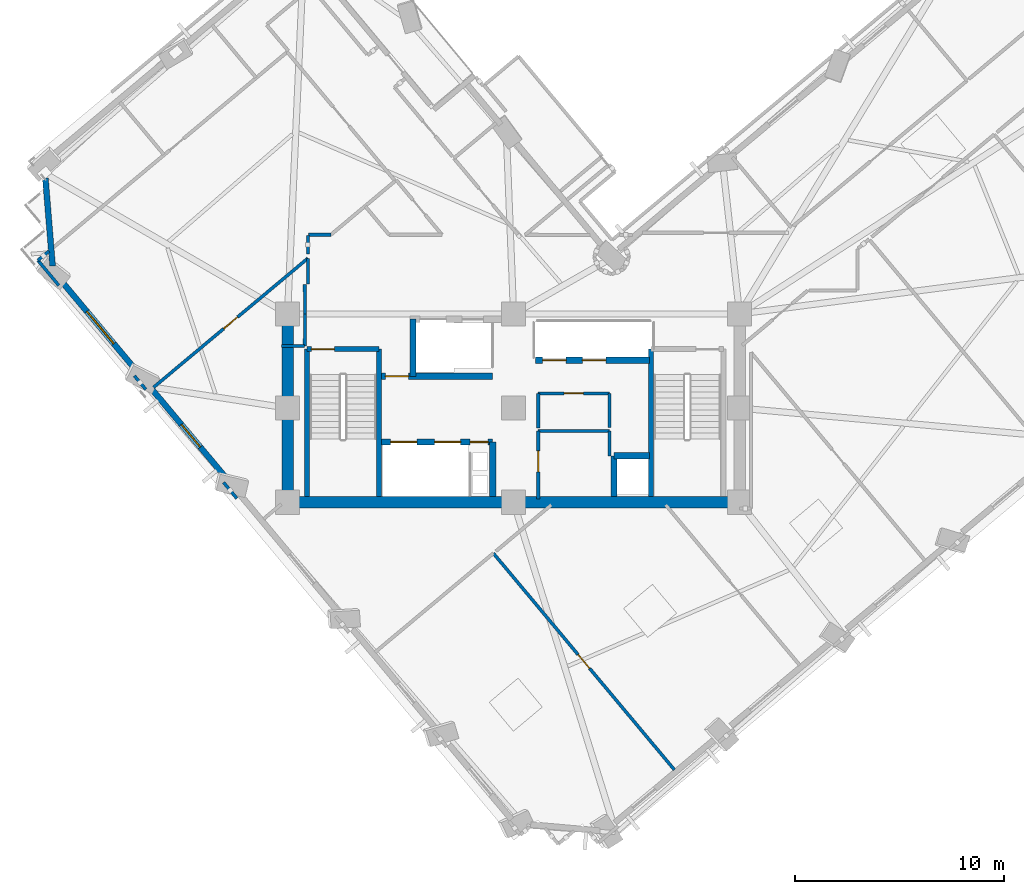
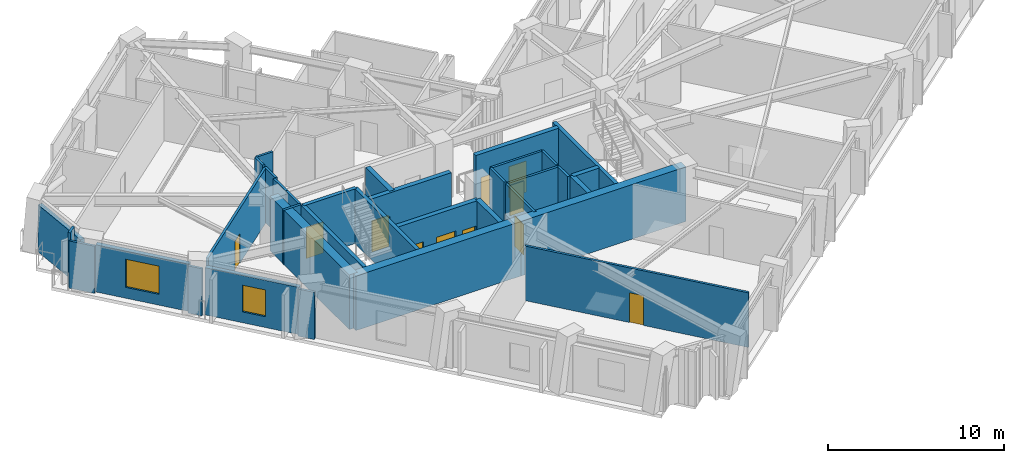
# One storey, part 6 of 14: 35 walls, 11 doors, 2 windows, 13 openings.
"""IFC4 building model written with IfcOpenShell, lengths in metres."""

from ifc_helpers import new_model, si_unit, direction, frame, frame_2d, origin, place, context, subcontext, project, spatial, rectangle, extrude, material, layer, layer_set, type_object, element, fill, save


model = new_model("IFC4")

# Units and contexts
model_context = context("Model", 3, precision=1e-05, world=origin(), true_north=direction((0.0, 1.0)))
body_context = subcontext(model_context, "Body", "Model", "MODEL_VIEW")
ifc_project = project(units=[si_unit("LENGTHUNIT", "METRE"), si_unit("AREAUNIT", "SQUARE_METRE"), si_unit("VOLUMEUNIT", "CUBIC_METRE"), si_unit("PLANEANGLEUNIT", "RADIAN"), si_unit("MASSUNIT", "GRAM", prefix="KILO")], contexts=[model_context])

# Site, building, storey
site_placement = place(None, origin())
site = spatial("IfcSite", under=ifc_project, at=site_placement, CompositionType="ELEMENT")
building_placement = place(site_placement, origin())
building = spatial("IfcBuilding", under=site, at=building_placement, Name="Gaonmaruhae Medical Tower", CompositionType="ELEMENT")
storey_placement = place(building_placement, frame((0.0, 0.0, 193.800048828125)))
storey = spatial("IfcBuildingStorey", under=building, at=storey_placement, Name="L46", CompositionType="ELEMENT", Elevation=193.800048828125)

# Walls
ifc_material_1 = material(Name="Concrete C50/60", Category="concrete")
ifc_layer_1 = layer(ifc_material_1, 0.550048828125)
ifc_layer_set_1 = layer_set([ifc_layer_1], Name="Concrete C50/60")
wall_type_1 = type_object("IfcWallType", Name="CW-550 Mid-High Core Shear Wall", PredefinedType="SHEAR", material=ifc_layer_set_1)
for number, where, z_axis, x_axis, name in (
    (1, (14.0, 7.800048828125, 0.0), (0.0, 0.0, 1.0), (1.0, 0.0, 0.0), "L46 Core Shear Wall CSW-S1"),
    (2, (24.800048828125, 7.800048828125, 0.0), (0.0, 0.0, 1.0), (1.0, 0.0, 0.0), "L46 Core Shear Wall CSW-S2"),
):
    element("IfcWall", number, at=place(storey_placement, frame(where, z_axis=z_axis, x_axis=x_axis)), inside=storey, type_object=wall_type_1, Name=name, PredefinedType="SHEAR", context=body_context, shape_type="SweptSolid", body=[
        extrude(rectangle(XDim=10.800048828125, YDim=0.550048828125, at=frame_2d((5.39990234375, 0.0))), origin(), (0.0, 0.0, 1.0), 3.780029296875),
    ])
wall_1_placement = place(storey_placement, frame((14.0, 16.800048828125, 0.0), z_axis=(0.0, 0.0, 1.0), x_axis=(0.0, -1.0, 0.0)))
element("IfcWall", 3, at=wall_1_placement, inside=storey, type_object=wall_type_1, Name="L46 Core Shear Wall CSW-W1", PredefinedType="SHEAR", context=body_context, shape_type="SweptSolid", body=[
    extrude(rectangle(XDim=9.0, YDim=0.550048828125, at=frame_2d((4.5, 0.0))), origin(), (0.0, 0.0, 1.0), 3.780029296875),
])
ifc_material_2 = material(Name="Precast concrete C45/55", Category="concrete")
ifc_layer_2 = layer(ifc_material_2, 0.280029296875)
ifc_layer_set_2 = layer_set([ifc_layer_2], Name="Precast concrete C45/55")
wall_type_2 = type_object("IfcWallType", Name="EW-280 Upper Precast Masonry-Frame Facade Wall", PredefinedType="SOLIDWALL", material=ifc_layer_set_2)
wall_2_placement = place(storey_placement, frame((2.77197265625, 19.08935546875, 0.0), z_axis=(0.0, 0.0, 1.0), x_axis=(-0.081644138637, 0.996661544671, 0.0)))
element("IfcWall", 4, at=wall_2_placement, inside=storey, type_object=wall_type_2, Name="L46 Precast Masonry-Frame Wall N03-W01", PredefinedType="SOLIDWALL", context=body_context, shape_type="SweptSolid", body=[
    extrude(rectangle(XDim=4.21044921875, YDim=0.280029296875, at=frame_2d((2.105224609375, 0.0))), origin(), (0.0, 0.0, 1.0), 3.264892578125),
])

# Wall, opening, window
wall_3_placement = place(storey_placement, frame((6.85595703125, 13.99169921875, 0.0), z_axis=(0.0, 0.0, 1.0), x_axis=(-0.641446591331, 0.767167693839, 0.0)))
wall_3 = element("IfcWall", 5, at=wall_3_placement, inside=storey, type_object=wall_type_2, Name="L46 Precast Masonry-Frame Wall W01-W02", PredefinedType="SOLIDWALL", context=body_context, shape_type="SweptSolid", body=[
    extrude(rectangle(XDim=5.627685546875, YDim=0.280029296875, at=frame_2d((2.81396484375, 0.0))), origin(), (0.0, 0.0, 1.0), 3.264892578125),
])
opening_1_placement = place(wall_3_placement, frame((1.811279296875, 0.0, 0.75)))
opening_1 = element("IfcOpeningElement", 6, at=opening_1_placement, cuts=wall_3, Name="Opening WN-02", PredefinedType="OPENING", context=body_context, shape_type="SweptSolid", body=[
    extrude(rectangle(XDim=2.0, YDim=1.949951171875, at=frame_2d((1.0, 0.97509765625))), frame((0.0, 0.14990234375, 0.0), z_axis=(0.0, -1.0, 0.0), x_axis=(1.0, 0.0, 0.0)), (0.0, 0.0, 1.0), 0.300048828125),
])
ifc_material_3 = material(Name="Anodised aluminium and Low-E double glazing", Category="aluminium")
window_type_1 = type_object("IfcWindowType", Name="WN-02 Double-Bed Ward Punched Window 2000x1950", PartitioningType="SINGLE_PANEL", PredefinedType="WINDOW", material=ifc_material_3)
window_1_placement = place(opening_1_placement, origin())
window_1 = element("IfcWindow", 7, at=window_1_placement, inside=storey, type_object=window_type_1, Name="L46 Modular Facade Window W01", OverallHeight=1.949951171875, OverallWidth=2.0, PartitioningType="SINGLE_PANEL", PredefinedType="WINDOW", context=body_context, shape_type="SweptSolid", body=[
    extrude(rectangle(XDim=2.0, YDim=1.949951171875, at=frame_2d((1.0, 0.97509765625))), frame((0.0, 0.030029296875, 0.0), z_axis=(0.0, -1.0, 0.0), x_axis=(1.0, 0.0, 0.0)), (0.0, 0.0, 1.0), 0.06005859375),
])
fill(opening_1, window_1)

wall_4_placement = place(storey_placement, frame((11.118408203125, 8.89404296875, 0.0), z_axis=(0.0, 0.0, 1.0), x_axis=(-0.641464322238, 0.76715286827, 0.0)))
wall_4 = element("IfcWall", 8, at=wall_4_placement, inside=storey, type_object=wall_type_2, Name="L46 Precast Masonry-Frame Wall W02-W03", PredefinedType="SOLIDWALL", context=body_context, shape_type="SweptSolid", body=[
    extrude(rectangle(XDim=5.662109375, YDim=0.280029296875, at=frame_2d((2.8310546875, 0.0))), origin(), (0.0, 0.0, 1.0), 3.264892578125),
])
opening_2_placement = place(wall_4_placement, frame((2.010986328125, 0.0, 0.75)))
opening_2 = element("IfcOpeningElement", 9, at=opening_2_placement, cuts=wall_4, Name="Opening WN-03", PredefinedType="OPENING", context=body_context, shape_type="SweptSolid", body=[
    extrude(rectangle(XDim=1.39990234375, YDim=1.85009765625, at=frame_2d((0.699951171875, 0.925048828125))), frame((0.0, 0.14990234375, 0.0), z_axis=(0.0, -1.0, 0.0), x_axis=(1.0, 0.0, 0.0)), (0.0, 0.0, 1.0), 0.300048828125),
])
window_type_2 = type_object("IfcWindowType", Name="WN-03 Isolation Ward Punched Window 1400x1850", PartitioningType="SINGLE_PANEL", PredefinedType="WINDOW", material=ifc_material_3)
window_2_placement = place(opening_2_placement, origin())
window_2 = element("IfcWindow", 10, at=window_2_placement, inside=storey, type_object=window_type_2, Name="L46 Modular Facade Window W02", OverallHeight=1.85009765625, OverallWidth=1.39990234375, PartitioningType="SINGLE_PANEL", PredefinedType="WINDOW", context=body_context, shape_type="SweptSolid", body=[
    extrude(rectangle(XDim=1.39990234375, YDim=1.85009765625, at=frame_2d((0.699951171875, 0.925048828125))), frame((0.0, 0.030029296875, 0.0), z_axis=(0.0, -1.0, 0.0), x_axis=(1.0, 0.0, 0.0)), (0.0, 0.0, 1.0), 0.06005859375),
])
fill(opening_2, window_2)

# Wall, opening, door
ifc_material_4 = material(Name="Gypsum board partition", Category="gypsum")
ifc_layer_3 = layer(ifc_material_4, 0.14990234375)
ifc_layer_set_3 = layer_set([ifc_layer_3], Name="Gypsum board partition")
wall_type_3 = type_object("IfcWallType", Name="PW-150 Rated Clinical Corridor Partition", PredefinedType="PARTITIONING", material=ifc_layer_set_3)
wall_5_placement = place(storey_placement, frame((25.97998046875, 7.9599609375, 0.0), z_axis=(0.0, 0.0, 1.0), x_axis=(0.0, 1.0, 0.0)))
wall_5 = element("IfcWall", 11, at=wall_5_placement, inside=storey, type_object=wall_type_3, Name="L46 Interior Partition L46-RCL1-1", PredefinedType="PARTITIONING", context=body_context, shape_type="SweptSolid", body=[
    extrude(rectangle(XDim=3.239990234375, YDim=0.14990234375, at=frame_2d((1.6201171875, 0.0))), origin(), (0.0, 0.0, 1.0), 3.780029296875),
])
opening_3_placement = place(wall_5_placement, frame((1.294921875, 0.0, 0.0)))
opening_3 = element("IfcOpeningElement", 12, at=opening_3_placement, cuts=wall_5, Name="Opening CD-01", PredefinedType="OPENING", context=body_context, shape_type="SweptSolid", body=[
    extrude(rectangle(XDim=1.0, YDim=2.1201171875, at=frame_2d((0.5, 1.06005859375))), frame((0.0, 0.0849609375, 0.0), z_axis=(0.0, -1.0, 0.0), x_axis=(1.0, 0.0, 0.0)), (0.0, 0.0, 1.0), 0.169921875),
])
ifc_material_5 = material(Name="Antimicrobial laminate timber fire door", Category="wood")
door_type_1 = type_object("IfcDoorType", Name="CD-01 Consultation & Physician Office Door 1000x2120", OperationType="NOTDEFINED", PredefinedType="DOOR", material=ifc_material_5)
door_1_placement = place(opening_3_placement, origin())
door_1 = element("IfcDoor", 13, at=door_1_placement, inside=storey, type_object=door_type_1, Name="L46 Clinical Telemetry and Medication Room Door", OperationType="SINGLE_SWING_RIGHT", OverallHeight=2.1201171875, OverallWidth=1.0, PredefinedType="DOOR", context=body_context, shape_type="SweptSolid", body=[
    extrude(rectangle(XDim=1.0, YDim=2.1201171875, at=frame_2d((0.5, 1.06005859375))), frame((0.0, 0.02490234375, 0.0), z_axis=(0.0, -1.0, 0.0), x_axis=(1.0, 0.0, 0.0)), (0.0, 0.0, 1.0), 0.050048828125),
])
fill(opening_3, door_1)

# Walls
wall_6_placement = place(storey_placement, frame((25.97998046875, 11.199951171875, 0.0), z_axis=(0.0, 0.0, 1.0), x_axis=(1.0, 0.0, 0.0)))
element("IfcWall", 14, at=wall_6_placement, inside=storey, type_object=wall_type_3, Name="L46 Interior Partition L46-RCL1-2", PredefinedType="PARTITIONING", context=body_context, shape_type="SweptSolid", body=[
    extrude(rectangle(XDim=3.39990234375, YDim=0.14990234375, at=frame_2d((1.699951171875, 0.0))), origin(), (0.0, 0.0, 1.0), 3.780029296875),
])
wall_7_placement = place(storey_placement, frame((29.3798828125, 11.199951171875, 0.0), z_axis=(0.0, 0.0, 1.0), x_axis=(0.0, -1.0, 0.0)))
element("IfcWall", 15, at=wall_7_placement, inside=storey, type_object=wall_type_3, Name="L46 Interior Partition L46-RCL1-3", PredefinedType="PARTITIONING", context=body_context, shape_type="SweptSolid", body=[
    extrude(rectangle(XDim=1.179931640625, YDim=0.14990234375, at=frame_2d((0.58984375, 0.0))), origin(), (0.0, 0.0, 1.0), 3.780029296875),
])
wall_8_placement = place(storey_placement, frame((25.97998046875, 11.360107421875, 0.0), z_axis=(0.0, 0.0, 1.0), x_axis=(0.0, 1.0, 0.0)))
element("IfcWall", 16, at=wall_8_placement, inside=storey, type_object=wall_type_3, Name="L46 Interior Partition L46-CS1-4", PredefinedType="PARTITIONING", context=body_context, shape_type="SweptSolid", body=[
    extrude(rectangle(XDim=1.639892578125, YDim=0.14990234375, at=frame_2d((0.81982421875, 0.0))), origin(), (0.0, 0.0, 1.0), 3.780029296875),
])

# Wall, opening, door
wall_9_placement = place(storey_placement, frame((25.97998046875, 13.0, 0.0), z_axis=(0.0, 0.0, 1.0), x_axis=(1.0, 0.0, 0.0)))
wall_9 = element("IfcWall", 17, at=wall_9_placement, inside=storey, type_object=wall_type_3, Name="L46 Interior Partition L46-CS1-5", PredefinedType="PARTITIONING", context=body_context, shape_type="SweptSolid", body=[
    extrude(rectangle(XDim=3.39990234375, YDim=0.14990234375, at=frame_2d((1.699951171875, 0.0))), origin(), (0.0, 0.0, 1.0), 3.780029296875),
])
opening_4_placement = place(wall_9_placement, frame((1.239990234375, 0.0, 0.0)))
opening_4 = element("IfcOpeningElement", 18, at=opening_4_placement, cuts=wall_9, Name="Opening UD-01", PredefinedType="OPENING", context=body_context, shape_type="SweptSolid", body=[
    extrude(rectangle(XDim=0.919921875, YDim=2.10009765625, at=frame_2d((0.4599609375, 1.050048828125))), frame((0.0, 0.0849609375, 0.0), z_axis=(0.0, -1.0, 0.0), x_axis=(1.0, 0.0, 0.0)), (0.0, 0.0, 1.0), 0.169921875),
])
ifc_material_6 = material(Name="Powder-coated steel utility door", Category="steel")
door_type_2 = type_object("IfcDoorType", Name="UD-01 Toilet, Utility & Housekeeping Door 920x2100", OperationType="NOTDEFINED", PredefinedType="DOOR", material=ifc_material_6)
door_2_placement = place(opening_4_placement, origin())
door_2 = element("IfcDoor", 19, at=door_2_placement, inside=storey, type_object=door_type_2, Name="L46 Accessible Staff Toilet Door", OperationType="SINGLE_SWING_RIGHT", OverallHeight=2.10009765625, OverallWidth=0.919921875, PredefinedType="DOOR", context=body_context, shape_type="SweptSolid", body=[
    extrude(rectangle(XDim=0.919921875, YDim=2.10009765625, at=frame_2d((0.4599609375, 1.050048828125))), frame((0.0, 0.02490234375, 0.0), z_axis=(0.0, -1.0, 0.0), x_axis=(1.0, 0.0, 0.0)), (0.0, 0.0, 1.0), 0.050048828125),
])
fill(opening_4, door_2)

# Wall
wall_10_placement = place(storey_placement, frame((29.3798828125, 13.0, 0.0), z_axis=(0.0, 0.0, 1.0), x_axis=(0.0, -1.0, 0.0)))
element("IfcWall", 20, at=wall_10_placement, inside=storey, type_object=wall_type_3, Name="L46 Interior Partition L46-CS1-6", PredefinedType="PARTITIONING", context=body_context, shape_type="SweptSolid", body=[
    extrude(rectangle(XDim=1.639892578125, YDim=0.14990234375, at=frame_2d((0.81982421875, 0.0))), origin(), (0.0, 0.0, 1.0), 3.780029296875),
])

# Wall, opening, door
wall_11_placement = place(storey_placement, frame((23.8359375, 5.361083984375, 0.0), z_axis=(0.0, 0.0, 1.0), x_axis=(0.641422910141, -0.767187493606, 0.0)))
wall_11 = element("IfcWall", 21, at=wall_11_placement, inside=storey, type_object=wall_type_3, Name="L46 Interior Partition L46-SUP01-12", PredefinedType="PARTITIONING", context=body_context, shape_type="SweptSolid", body=[
    extrude(rectangle(XDim=13.48583984375, YDim=0.14990234375, at=frame_2d((6.742919921875, 0.0))), origin(), (0.0, 0.0, 1.0), 3.780029296875),
])
opening_5_placement = place(wall_11_placement, frame((6.312744140625, 0.0, 0.0)))
opening_5 = element("IfcOpeningElement", 22, at=opening_5_placement, cuts=wall_11, Name="Opening AD-01", PredefinedType="OPENING", context=body_context, shape_type="SweptSolid", body=[
    extrude(rectangle(XDim=0.860107421875, YDim=2.06005859375, at=frame_2d((0.43017578125, 1.030029296875))), frame((0.0, 0.0849609375, 0.0), z_axis=(0.0, -1.0, 0.0), x_axis=(1.0, 0.0, 0.0)), (0.0, 0.0, 1.0), 0.169921875),
])
ifc_material_7 = material(Name="Powder-coated steel access door", Category="steel")
door_type_3 = type_object("IfcDoorType", Name="AD-01 Riser & Closet Access Fire Door 860x2060", OperationType="NOTDEFINED", PredefinedType="DOOR", material=ifc_material_7)
door_3_placement = place(opening_5_placement, origin())
door_3 = element("IfcDoor", 23, at=door_3_placement, inside=storey, type_object=door_type_3, Name="L46 Clinical Biomedical Charting Office Sliding Door", OperationType="SLIDING_TO_LEFT", OverallHeight=2.06005859375, OverallWidth=0.860107421875, PredefinedType="DOOR", context=body_context, shape_type="SweptSolid", body=[
    extrude(rectangle(XDim=0.860107421875, YDim=2.06005859375, at=frame_2d((0.43017578125, 1.030029296875))), frame((0.0, 0.02490234375, 0.0), z_axis=(0.0, -1.0, 0.0), x_axis=(1.0, 0.0, 0.0)), (0.0, 0.0, 1.0), 0.050048828125),
])
fill(opening_5, door_3)

# Walls
wall_12_placement = place(storey_placement, frame((14.820068359375, 18.199951171875, 0.0), z_axis=(0.0, 0.0, 1.0), x_axis=(0.01499656939, -0.99988754513, 0.0)))
element("IfcWall", 24, at=wall_12_placement, inside=storey, type_object=wall_type_3, Name="L46 Interior Partition L46-WOF08-39", PredefinedType="PARTITIONING", context=body_context, shape_type="SweptSolid", body=[
    extrude(rectangle(XDim=1.400146484375, YDim=0.14990234375, at=frame_2d((0.7001953125, 0.0))), origin(), (0.0, 0.0, 1.0), 3.780029296875),
])
wall_13_placement = place(storey_placement, frame((14.841064453125, 16.800048828125, 0.0), z_axis=(0.0, 0.0, 1.0), x_axis=(-0.01363221443, -0.999907077048, 0.0)))
element("IfcWall", 25, at=wall_13_placement, inside=storey, type_object=wall_type_3, Name="L46 Interior Partition L46-WOF08-40", PredefinedType="PARTITIONING", context=body_context, shape_type="SweptSolid", body=[
    extrude(rectangle(XDim=1.540283203125, YDim=0.14990234375, at=frame_2d((0.77001953125, 0.0))), origin(), (0.0, 0.0, 1.0), 3.780029296875),
])
wall_14_placement = place(storey_placement, frame((14.820068359375, 15.260009765625, 0.0), z_axis=(0.0, 0.0, 1.0), x_axis=(-1.0, 0.0, 0.0)))
element("IfcWall", 26, at=wall_14_placement, inside=storey, type_object=wall_type_3, Name="L46 Interior Partition L46-WOF08-41", PredefinedType="PARTITIONING", context=body_context, shape_type="SweptSolid", body=[
    extrude(rectangle(XDim=1.1201171875, YDim=0.14990234375, at=frame_2d((0.56005859375, 0.0))), origin(), (0.0, 0.0, 1.0), 3.780029296875),
])
wall_15_placement = place(storey_placement, frame((11.577880859375, 7.986083984375, 0.0), z_axis=(0.0, 0.0, 1.0), x_axis=(-0.641273361518, 0.767312502054, 0.0)))
element("IfcWall", 27, at=wall_15_placement, inside=storey, type_object=wall_type_3, Name="L46 Interior Partition L46-WOF08-42", PredefinedType="PARTITIONING", context=body_context, shape_type="SweptSolid", body=[
    extrude(rectangle(XDim=0.99169921875, YDim=0.14990234375, at=frame_2d((0.495849609375, 0.0))), origin(), (0.0, 0.0, 1.0), 3.264892578125),
])

# Wall, opening, door
wall_16_placement = place(storey_placement, frame((7.593994140625, 13.2890625, 0.0), z_axis=(0.0, 0.0, 1.0), x_axis=(0.767229543611, 0.64137261199, 0.0)))
wall_16 = element("IfcWall", 28, at=wall_16_placement, inside=storey, type_object=wall_type_3, Name="L46 Interior Partition L46-WOF08-43", PredefinedType="PARTITIONING", context=body_context, shape_type="SweptSolid", body=[
    extrude(rectangle(XDim=9.61376953125, YDim=0.14990234375, at=frame_2d((4.806884765625, 0.0))), origin(), (0.0, 0.0, 1.0), 3.780029296875),
])
opening_6_placement = place(wall_16_placement, frame((4.376953125, 0.0, 0.0)))
opening_6 = element("IfcOpeningElement", 29, at=opening_6_placement, cuts=wall_16, Name="Opening AD-01", PredefinedType="OPENING", context=body_context, shape_type="SweptSolid", body=[
    extrude(rectangle(XDim=0.860107421875, YDim=2.06005859375, at=frame_2d((0.43017578125, 1.030029296875))), frame((0.0, 0.0849609375, 0.0), z_axis=(0.0, -1.0, 0.0), x_axis=(1.0, 0.0, 0.0)), (0.0, 0.0, 1.0), 0.169921875),
])
door_4_placement = place(opening_6_placement, origin())
door_4 = element("IfcDoor", 30, at=door_4_placement, inside=storey, type_object=door_type_3, Name="L46 Ward Physician Reporting Office Sliding Door", OperationType="SLIDING_TO_LEFT", OverallHeight=2.06005859375, OverallWidth=0.860107421875, PredefinedType="DOOR", context=body_context, shape_type="SweptSolid", body=[
    extrude(rectangle(XDim=0.860107421875, YDim=2.06005859375, at=frame_2d((0.43017578125, 1.030029296875))), frame((0.0, 0.02490234375, 0.0), z_axis=(0.0, -1.0, 0.0), x_axis=(1.0, 0.0, 0.0)), (0.0, 0.0, 1.0), 0.050048828125),
])
fill(opening_6, door_4)

# Walls
wall_17_placement = place(storey_placement, frame((14.969970703125, 19.455078125, 0.0), z_axis=(0.0, 0.0, 1.0), x_axis=(0.0, -1.0, 0.0)))
element("IfcWall", 31, at=wall_17_placement, inside=storey, type_object=wall_type_3, Name="L46 Interior Partition L46-WOF08-44", PredefinedType="PARTITIONING", context=body_context, shape_type="SweptSolid", body=[
    extrude(rectangle(XDim=1.22509765625, YDim=0.14990234375, at=frame_2d((0.612548828125, 0.0))), origin(), (0.0, 0.0, 1.0), 3.780029296875),
])
wall_18_placement = place(storey_placement, frame((14.969970703125, 20.550048828125, 0.0), z_axis=(0.0, 0.0, 1.0), x_axis=(0.0, -1.0, 0.0)))
element("IfcWall", 32, at=wall_18_placement, inside=storey, type_object=wall_type_3, Name="L46 Interior Partition L46-WOF09-45", PredefinedType="PARTITIONING", context=body_context, shape_type="SweptSolid", body=[
    extrude(rectangle(XDim=0.885986328125, YDim=0.14990234375, at=frame_2d((0.44287109375, 0.0))), origin(), (0.0, 0.0, 1.0), 3.780029296875),
])
wall_19_placement = place(storey_placement, frame((7.22705078125, 13.18994140625, 0.0), z_axis=(0.0, 0.0, 1.0), x_axis=(-0.641619521799, 0.767023069566, 0.0)))
element("IfcWall", 33, at=wall_19_placement, inside=storey, type_object=wall_type_3, Name="L46 Interior Partition L46-WOF09-46", PredefinedType="PARTITIONING", context=body_context, shape_type="SweptSolid", body=[
    extrude(rectangle(XDim=0.852783203125, YDim=0.14990234375, at=frame_2d((0.42626953125, 0.0))), origin(), (0.0, 0.0, 1.0), 3.264892578125),
])
wall_20_placement = place(storey_placement, frame((3.070068359375, 18.162109375, 0.0), z_axis=(0.0, 0.0, 1.0), x_axis=(-0.64150828389, 0.767116107054, 0.0)))
element("IfcWall", 34, at=wall_20_placement, inside=storey, type_object=wall_type_3, Name="L46 Interior Partition L46-WOF09-47", PredefinedType="PARTITIONING", context=body_context, shape_type="SweptSolid", body=[
    extrude(rectangle(XDim=1.558837890625, YDim=0.14990234375, at=frame_2d((0.779296875, 0.0))), origin(), (0.0, 0.0, 1.0), 3.264892578125),
])
wall_21_placement = place(storey_placement, frame((2.070068359375, 19.35791015625, 0.0), z_axis=(0.0, 0.0, 1.0), x_axis=(0.766591239357, 0.64213539985, 0.0)))
element("IfcWall", 35, at=wall_21_placement, inside=storey, type_object=wall_type_3, Name="L46 Interior Partition L46-WOF09-48", PredefinedType="PARTITIONING", context=body_context, shape_type="SweptSolid", body=[
    extrude(rectangle(XDim=0.6884765625, YDim=0.14990234375, at=frame_2d((0.34423828125, 0.0))), origin(), (0.0, 0.0, 1.0), 3.780029296875),
])
wall_22_placement = place(storey_placement, frame((16.06591796875, 20.580078125, 0.0), z_axis=(0.0, 0.0, 1.0), x_axis=(-1.0, 0.0, 0.0)))
element("IfcWall", 36, at=wall_22_placement, inside=storey, type_object=wall_type_3, Name="L46 Interior Partition L46-WOF09-52", PredefinedType="PARTITIONING", context=body_context, shape_type="SweptSolid", body=[
    extrude(rectangle(XDim=1.06884765625, YDim=0.14990234375, at=frame_2d((0.534423828125, 0.0))), origin(), (0.0, 0.0, 1.0), 3.780029296875),
])

# Wall, opening, door
ifc_layer_4 = layer(ifc_material_1, 0.239990234375)
ifc_layer_set_4 = layer_set([ifc_layer_4], Name="Concrete C50/60")
wall_type_4 = type_object("IfcWallType", Name="SW-240 Dogleg Stair Tight Shaft Wall", PredefinedType="SOLIDWALL", material=ifc_layer_set_4)
wall_23_placement = place(storey_placement, frame((14.919921875, 15.1201171875, 0.0), z_axis=(0.0, 0.0, 1.0), x_axis=(1.0, 0.0, 0.0)))
wall_23 = element("IfcWall", 37, at=wall_23_placement, inside=storey, type_object=wall_type_4, Name="L46 ST-01 Stair Shaft Wall SHW-ST-01-N", PredefinedType="SOLIDWALL", context=body_context, shape_type="SweptSolid", body=[
    extrude(rectangle(XDim=3.4599609375, YDim=0.239990234375, at=frame_2d((1.72998046875, 0.0))), origin(), (0.0, 0.0, 1.0), 3.780029296875),
])
opening_7_placement = place(wall_23_placement, frame((0.219970703125, 0.0, 0.0)))
opening_7 = element("IfcOpeningElement", 38, at=opening_7_placement, cuts=wall_23, Name="Opening FD-01", PredefinedType="OPENING", context=body_context, shape_type="SweptSolid", body=[
    extrude(rectangle(XDim=1.10009765625, YDim=2.14990234375, at=frame_2d((0.550048828125, 1.074951171875))), frame((0.0, 0.1298828125, 0.0), z_axis=(0.0, -1.0, 0.0), x_axis=(1.0, 0.0, 0.0)), (0.0, 0.0, 1.0), 0.260009765625),
])
ifc_material_8 = material(Name="Powder-coated steel fire door", Category="steel")
door_type_4 = type_object("IfcDoorType", Name="FD-01 Escape Stair Protected Fire Door 1100x2150", OperationType="NOTDEFINED", PredefinedType="DOOR", material=ifc_material_8)
door_5_placement = place(opening_7_placement, origin())
door_5 = element("IfcDoor", 39, at=door_5_placement, inside=storey, type_object=door_type_4, Name="L46 ST-01 Protected Escape Stair Door", OperationType="SINGLE_SWING_LEFT", OverallHeight=2.14990234375, OverallWidth=1.10009765625, PredefinedType="DOOR", context=body_context, shape_type="SweptSolid", body=[
    extrude(rectangle(XDim=1.10009765625, YDim=2.14990234375, at=frame_2d((0.550048828125, 1.074951171875))), frame((0.0, 0.02490234375, 0.0), z_axis=(0.0, -1.0, 0.0), x_axis=(1.0, 0.0, 0.0)), (0.0, 0.0, 1.0), 0.050048828125),
])
fill(opening_7, door_5)

# Walls
for number, where, z_axis, x_axis, name in (
    (40, (18.3798828125, 15.1201171875, 0.0), (0.0, 0.0, 1.0), (0.0, -1.0, 0.0), "L46 ST-01 Stair Shaft Wall SHW-ST-01-E"),
    (41, (14.919921875, 8.074951171875, 0.0), (0.0, 0.0, 1.0), (0.0, 1.0, 0.0), "L46 ST-01 Stair Shaft Wall SHW-ST-01-W"),
    (42, (31.3701171875, 8.074951171875, 0.0), (0.0, 0.0, 1.0), (0.0, 1.0, 0.0), "L46 ST-02 Stair Shaft Wall SHW-ST-02-W"),
):
    element("IfcWall", number, at=place(storey_placement, frame(where, z_axis=z_axis, x_axis=x_axis)), inside=storey, type_object=wall_type_4, Name=name, PredefinedType="SOLIDWALL", context=body_context, shape_type="SweptSolid", body=[
        extrude(rectangle(XDim=7.045166015625, YDim=0.239990234375, at=frame_2d((3.5224609375, 0.0))), origin(), (0.0, 0.0, 1.0), 3.780029296875),
    ])

# Wall, openings, doors
ifc_layer_5 = layer(ifc_material_1, 0.300048828125)
ifc_layer_set_5 = layer_set([ifc_layer_5], Name="Concrete C50/60")
wall_type_5 = type_object("IfcWallType", Name="SW-300 Stair & Lift Hoistway Shaft Wall", PredefinedType="SOLIDWALL", material=ifc_layer_set_5)
wall_24_placement = place(storey_placement, frame((18.5, 10.679931640625, 0.0), z_axis=(0.0, 0.0, 1.0), x_axis=(1.0, 0.0, 0.0)))
wall_24 = element("IfcWall", 43, at=wall_24_placement, inside=storey, type_object=wall_type_5, Name="L46 Shaft Enclosure Wall SHW-FFN", PredefinedType="SOLIDWALL", context=body_context, shape_type="SweptSolid", body=[
    extrude(rectangle(XDim=5.300048828125, YDim=0.300048828125, at=frame_2d((2.64990234375, 0.0))), origin(), (0.0, 0.0, 1.0), 3.780029296875),
])
opening_8_placement = place(wall_24_placement, frame((4.219970703125, 0.0, 0.0)))
opening_8 = element("IfcOpeningElement", 44, at=opening_8_placement, cuts=wall_24, Name="Opening AD-01", PredefinedType="OPENING", context=body_context, shape_type="SweptSolid", body=[
    extrude(rectangle(XDim=0.860107421875, YDim=2.06005859375, at=frame_2d((0.43017578125, 1.030029296875))), frame((0.0, 0.16015625, 0.0), z_axis=(0.0, -1.0, 0.0), x_axis=(1.0, 0.0, 0.0)), (0.0, 0.0, 1.0), 0.320068359375),
])
opening_9_placement = place(wall_24_placement, frame((0.425048828125, 0.0, 0.0)))
opening_9 = element("IfcOpeningElement", 45, at=opening_9_placement, cuts=wall_24, Name="Opening LD-F1", PredefinedType="OPENING", context=body_context, shape_type="SweptSolid", body=[
    extrude(rectangle(XDim=1.25, YDim=2.179931640625, at=frame_2d((0.625, 1.08984375))), frame((0.0, 0.16015625, 0.0), z_axis=(0.0, -1.0, 0.0), x_axis=(1.0, 0.0, 0.0)), (0.0, 0.0, 1.0), 0.320068359375),
])
opening_10_placement = place(wall_24_placement, frame((2.52490234375, 0.0, 0.0)))
opening_10 = element("IfcOpeningElement", 46, at=opening_10_placement, cuts=wall_24, Name="Opening LD-F1", PredefinedType="OPENING", context=body_context, shape_type="SweptSolid", body=[
    extrude(rectangle(XDim=1.25, YDim=2.179931640625, at=frame_2d((0.625, 1.08984375))), frame((0.0, 0.16015625, 0.0), z_axis=(0.0, -1.0, 0.0), x_axis=(1.0, 0.0, 0.0)), (0.0, 0.0, 1.0), 0.320068359375),
])
door_6_placement = place(opening_8_placement, origin())
door_6 = element("IfcDoor", 47, at=door_6_placement, inside=storey, type_object=door_type_3, Name="L46 Medical Gas and MEP Riser Access Door", OperationType="SINGLE_SWING_RIGHT", OverallHeight=2.06005859375, OverallWidth=0.860107421875, PredefinedType="DOOR", context=body_context, shape_type="SweptSolid", body=[
    extrude(rectangle(XDim=0.860107421875, YDim=2.06005859375, at=frame_2d((0.43017578125, 1.030029296875))), frame((0.0, 0.02490234375, 0.0), z_axis=(0.0, -1.0, 0.0), x_axis=(1.0, 0.0, 0.0)), (0.0, 0.0, 1.0), 0.050048828125),
])
fill(opening_8, door_6)
ifc_material_9 = material(Name="Brushed stainless steel 316L landing door", Category="steel")
door_type_5 = type_object("IfcDoorType", Name="LD-F1 Firefighting & Bed Lift Sliding Landing Door 1250x2180", OperationType="NOTDEFINED", PredefinedType="DOOR", material=ifc_material_9)
door_7_placement = place(opening_9_placement, origin())
door_7 = element("IfcDoor", 48, at=door_7_placement, inside=storey, type_object=door_type_5, Name="L46 Firefighting Lift Landing Door FFL-01", OperationType="DOUBLE_DOOR_SLIDING", OverallHeight=2.179931640625, OverallWidth=1.25, PredefinedType="DOOR", context=body_context, shape_type="SweptSolid", body=[
    extrude(rectangle(XDim=1.25, YDim=2.179931640625, at=frame_2d((0.625, 1.08984375))), frame((0.0, 0.02490234375, 0.0), z_axis=(0.0, -1.0, 0.0), x_axis=(1.0, 0.0, 0.0)), (0.0, 0.0, 1.0), 0.050048828125),
])
fill(opening_9, door_7)
door_8_placement = place(opening_10_placement, origin())
door_8 = element("IfcDoor", 49, at=door_8_placement, inside=storey, type_object=door_type_5, Name="L46 Firefighting Lift Landing Door FFL-02", OperationType="DOUBLE_DOOR_SLIDING", OverallHeight=2.179931640625, OverallWidth=1.25, PredefinedType="DOOR", context=body_context, shape_type="SweptSolid", body=[
    extrude(rectangle(XDim=1.25, YDim=2.179931640625, at=frame_2d((0.625, 1.08984375))), frame((0.0, 0.02490234375, 0.0), z_axis=(0.0, -1.0, 0.0), x_axis=(1.0, 0.0, 0.0)), (0.0, 0.0, 1.0), 0.050048828125),
])
fill(opening_10, door_8)

# Wall, opening, door
wall_25_placement = place(storey_placement, frame((18.5, 13.820068359375, 0.0), z_axis=(0.0, 0.0, 1.0), x_axis=(1.0, 0.0, 0.0)))
wall_25 = element("IfcWall", 50, at=wall_25_placement, inside=storey, type_object=wall_type_5, Name="L46 Shaft Enclosure Wall SHW-FFL", PredefinedType="SOLIDWALL", context=body_context, shape_type="SweptSolid", body=[
    extrude(rectangle(XDim=5.300048828125, YDim=0.300048828125, at=frame_2d((2.64990234375, 0.0))), origin(), (0.0, 0.0, 1.0), 3.780029296875),
])
opening_11_placement = place(wall_25_placement, frame((0.179931640625, 0.0, 0.0)))
opening_11 = element("IfcOpeningElement", 51, at=opening_11_placement, cuts=wall_25, Name="Opening FD-01", PredefinedType="OPENING", context=body_context, shape_type="SweptSolid", body=[
    extrude(rectangle(XDim=1.10009765625, YDim=2.14990234375, at=frame_2d((0.550048828125, 1.074951171875))), frame((0.0, 0.16015625, 0.0), z_axis=(0.0, -1.0, 0.0), x_axis=(1.0, 0.0, 0.0)), (0.0, 0.0, 1.0), 0.320068359375),
])
door_9_placement = place(opening_11_placement, origin())
door_9 = element("IfcDoor", 52, at=door_9_placement, inside=storey, type_object=door_type_4, Name="L46 Firefighting Lobby Smoke Door", OperationType="SINGLE_SWING_LEFT", OverallHeight=2.14990234375, OverallWidth=1.10009765625, PredefinedType="DOOR", context=body_context, shape_type="SweptSolid", body=[
    extrude(rectangle(XDim=1.10009765625, YDim=2.14990234375, at=frame_2d((0.550048828125, 1.074951171875))), frame((0.0, 0.02490234375, 0.0), z_axis=(0.0, -1.0, 0.0), x_axis=(1.0, 0.0, 0.0)), (0.0, 0.0, 1.0), 0.050048828125),
])
fill(opening_11, door_9)

# Walls
wall_26_placement = place(storey_placement, frame((23.800048828125, 8.074951171875, 0.0), z_axis=(0.0, 0.0, 1.0), x_axis=(0.0, 1.0, 0.0)))
element("IfcWall", 53, at=wall_26_placement, inside=storey, type_object=wall_type_5, Name="L46 Shaft Enclosure Wall SHW-FFE", PredefinedType="SOLIDWALL", context=body_context, shape_type="SweptSolid", body=[
    extrude(rectangle(XDim=2.60498046875, YDim=0.300048828125, at=frame_2d((1.302490234375, 0.0))), origin(), (0.0, 0.0, 1.0), 3.780029296875),
])
wall_27_placement = place(storey_placement, frame((20.0, 13.820068359375, 0.0), z_axis=(0.0, 0.0, 1.0), x_axis=(0.0, 1.0, 0.0)))
element("IfcWall", 54, at=wall_27_placement, inside=storey, type_object=wall_type_5, Name="L46 Shaft Enclosure Wall SHW-BDW", PredefinedType="SOLIDWALL", context=body_context, shape_type="SweptSolid", body=[
    extrude(rectangle(XDim=2.72998046875, YDim=0.300048828125, at=frame_2d((1.364990234375, 0.0))), origin(), (0.0, 0.0, 1.0), 3.780029296875),
])
wall_28_placement = place(storey_placement, frame((29.60009765625, 10.02001953125, 0.0), z_axis=(0.0, 0.0, 1.0), x_axis=(1.0, 0.0, 0.0)))
element("IfcWall", 55, at=wall_28_placement, inside=storey, type_object=wall_type_5, Name="L46 Shaft Enclosure Wall SHW-PLS", PredefinedType="SOLIDWALL", context=body_context, shape_type="SweptSolid", body=[
    extrude(rectangle(XDim=1.699951171875, YDim=0.300048828125, at=frame_2d((0.85009765625, 0.0))), origin(), (0.0, 0.0, 1.0), 3.780029296875),
])
wall_29_placement = place(storey_placement, frame((29.60009765625, 8.074951171875, 0.0), z_axis=(0.0, 0.0, 1.0), x_axis=(0.0, 1.0, 0.0)))
element("IfcWall", 56, at=wall_29_placement, inside=storey, type_object=wall_type_5, Name="L46 Shaft Enclosure Wall SHW-PLD1", PredefinedType="SOLIDWALL", context=body_context, shape_type="SweptSolid", body=[
    extrude(rectangle(XDim=1.945068359375, YDim=0.300048828125, at=frame_2d((0.97265625, 0.0))), origin(), (0.0, 0.0, 1.0), 3.780029296875),
])

# Wall, openings, doors
wall_30_placement = place(storey_placement, frame((25.85009765625, 14.580078125, 0.0), z_axis=(0.0, 0.0, 1.0), x_axis=(1.0, 0.0, 0.0)))
wall_30 = element("IfcWall", 57, at=wall_30_placement, inside=storey, type_object=wall_type_5, Name="L46 Shaft Enclosure Wall SHW-PLN", PredefinedType="SOLIDWALL", context=body_context, shape_type="SweptSolid", body=[
    extrude(rectangle(XDim=5.449951171875, YDim=0.300048828125, at=frame_2d((2.72509765625, 0.0))), origin(), (0.0, 0.0, 1.0), 3.780029296875),
])
opening_12_placement = place(wall_30_placement, frame((0.340087890625, 0.0, 0.0)))
opening_12 = element("IfcOpeningElement", 58, at=opening_12_placement, cuts=wall_30, Name="Opening LD-P1", PredefinedType="OPENING", context=body_context, shape_type="SweptSolid", body=[
    extrude(rectangle(XDim=1.1201171875, YDim=2.14990234375, at=frame_2d((0.56005859375, 1.074951171875))), frame((0.0, 0.16015625, 0.0), z_axis=(0.0, -1.0, 0.0), x_axis=(1.0, 0.0, 0.0)), (0.0, 0.0, 1.0), 0.320068359375),
])
opening_13_placement = place(wall_30_placement, frame((2.239990234375, 0.0, 0.0)))
opening_13 = element("IfcOpeningElement", 59, at=opening_13_placement, cuts=wall_30, Name="Opening LD-P1", PredefinedType="OPENING", context=body_context, shape_type="SweptSolid", body=[
    extrude(rectangle(XDim=1.1201171875, YDim=2.14990234375, at=frame_2d((0.56005859375, 1.074951171875))), frame((0.0, 0.16015625, 0.0), z_axis=(0.0, -1.0, 0.0), x_axis=(1.0, 0.0, 0.0)), (0.0, 0.0, 1.0), 0.320068359375),
])
ifc_material_10 = material(Name="Brushed stainless steel 304 landing door", Category="steel")
door_type_6 = type_object("IfcDoorType", Name="LD-P1 Passenger Lift Sliding Landing Door 1120x2150", OperationType="NOTDEFINED", PredefinedType="DOOR", material=ifc_material_10)
door_10_placement = place(opening_12_placement, origin())
door_10 = element("IfcDoor", 60, at=door_10_placement, inside=storey, type_object=door_type_6, Name="L46 Passenger Lift Landing Door PL-M1", OperationType="DOUBLE_DOOR_SLIDING", OverallHeight=2.14990234375, OverallWidth=1.1201171875, PredefinedType="DOOR", context=body_context, shape_type="SweptSolid", body=[
    extrude(rectangle(XDim=1.1201171875, YDim=2.14990234375, at=frame_2d((0.56005859375, 1.074951171875))), frame((0.0, 0.02490234375, 0.0), z_axis=(0.0, -1.0, 0.0), x_axis=(1.0, 0.0, 0.0)), (0.0, 0.0, 1.0), 0.050048828125),
])
fill(opening_12, door_10)
door_11_placement = place(opening_13_placement, origin())
door_11 = element("IfcDoor", 61, at=door_11_placement, inside=storey, type_object=door_type_6, Name="L46 Passenger Lift Landing Door PL-M2", OperationType="DOUBLE_DOOR_SLIDING", OverallHeight=2.14990234375, OverallWidth=1.1201171875, PredefinedType="DOOR", context=body_context, shape_type="SweptSolid", body=[
    extrude(rectangle(XDim=1.1201171875, YDim=2.14990234375, at=frame_2d((0.56005859375, 1.074951171875))), frame((0.0, 0.02490234375, 0.0), z_axis=(0.0, -1.0, 0.0), x_axis=(1.0, 0.0, 0.0)), (0.0, 0.0, 1.0), 0.050048828125),
])
fill(opening_13, door_11)

save(model, "model.ifc")
